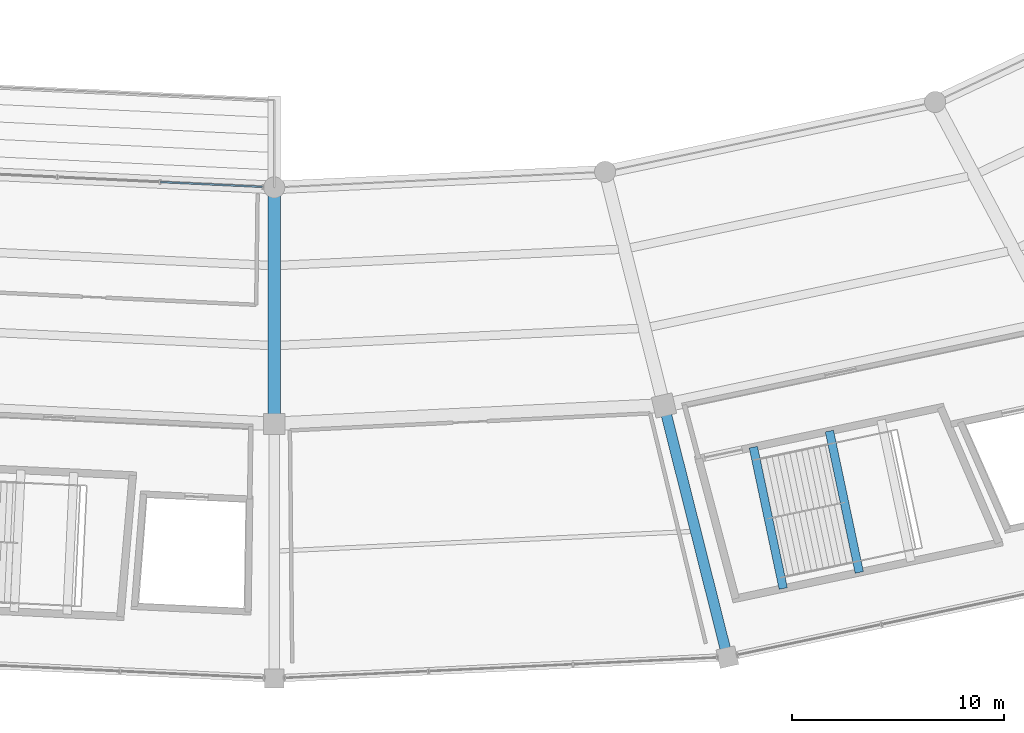
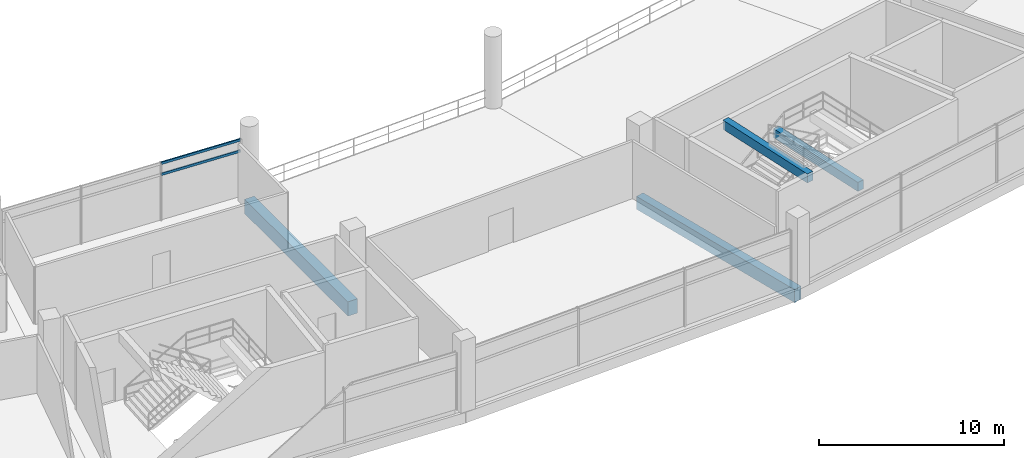
# One storey, part 31 of 171: 4 beams, 2 members, 1 element without a shape of its own.
"""IFC4 building model written with IfcOpenShell, lengths in metres."""

from ifc_helpers import new_model, si_unit, direction, frame, origin, origin_2d, place, context, subcontext, project, spatial, rectangle, hollow_rectangle, extrude, material, layer, layer_set, material_profile, profile_set, type_object, element, aggregate, save


model = new_model("IFC4")

# Units and contexts
model_context = context("Model", 3, precision=1e-05, world=origin(), true_north=direction((0.0, 1.0)))
body_context = subcontext(model_context, "Body", "Model", "MODEL_VIEW")
ifc_project = project(units=[si_unit("LENGTHUNIT", "METRE"), si_unit("AREAUNIT", "SQUARE_METRE"), si_unit("VOLUMEUNIT", "CUBIC_METRE"), si_unit("PLANEANGLEUNIT", "RADIAN"), si_unit("MASSUNIT", "GRAM", prefix="KILO")], contexts=[model_context])

# Site, building, storey
site_placement = place(None, origin())
site = spatial("IfcSite", under=ifc_project, at=site_placement, CompositionType="ELEMENT")
building_placement = place(site_placement, origin())
building = spatial("IfcBuilding", under=site, at=building_placement, Name="Kazemori Nagisa Stadium", CompositionType="ELEMENT")
storey_placement = place(building_placement, frame((0.0, 0.0, 15.639892578125)))
storey = spatial("IfcBuildingStorey", under=building, at=storey_placement, Name="L03", CompositionType="ELEMENT", Elevation=15.639892578125)

# Beams
ifc_material_1 = material(Name="Concrete C40/50 (Fc42)", Category="concrete")
ifc_material_profile_1 = material_profile(ifc_material_1, rectangle(XDim=0.39990234375, YDim=0.60009765625, at=origin_2d()), Name="RC-BM-400x600")
ifc_profile_set_1 = profile_set([ifc_material_profile_1], Name="Concrete C40/50 (Fc42)")
beam_type_1 = type_object("IfcBeamType", Name="Beam_BG-LND400X600", PredefinedType="BEAM", material=ifc_profile_set_1)
beam_1_placement = place(storey_placement, frame((149.248046875, 27.701171875, 1.880126953125), z_axis=(0.206990166222, -0.978343023222, 0.0), x_axis=(0.978343023222, 0.206990166222, 0.0)))
element("IfcBeam", 1, at=beam_1_placement, inside=storey, type_object=beam_type_1, Name="Core stair mid-landing girder ST06-L03-1", PredefinedType="BEAM", context=body_context, shape_type="SweptSolid", body=[
    extrude(rectangle(XDim=0.39990234375, YDim=0.60009765625, at=origin_2d()), origin(), (0.0, 0.0, 1.0), 6.83154296875),
])
beam_2_placement = place(storey_placement, frame((145.652587890625, 26.9404296875, 4.16015625), z_axis=(0.206997403527, -0.978341491982, 0.0), x_axis=(0.978341491982, 0.206997403527, 0.0)))
element("IfcBeam", 2, at=beam_2_placement, inside=storey, type_object=beam_type_1, Name="Core stair arrival header girder ST06-L03", PredefinedType="BEAM", context=body_context, shape_type="SweptSolid", body=[
    extrude(rectangle(XDim=0.39990234375, YDim=0.60009765625, at=origin_2d()), origin(), (0.0, 0.0, 1.0), 6.831298828125),
])
ifc_material_profile_2 = material_profile(ifc_material_1, rectangle(XDim=0.5, YDim=0.85009765625, at=origin_2d()), Name="RC-BM-500x850")
ifc_profile_set_2 = profile_set([ifc_material_profile_2], Name="Concrete C40/50 (Fc42)")
beam_type_2 = type_object("IfcBeamType", Name="Beam_BG-RC500X850", PredefinedType="BEAM", material=ifc_profile_set_2)
beam_3_placement = place(storey_placement, frame((141.427734375, 28.911376953125, -0.684814453125), z_axis=(0.244487324834, -0.969652488263, 0.0), x_axis=(0.969652488263, 0.244487324834, 0.0)))
element("IfcBeam", 3, at=beam_3_placement, inside=storey, type_object=beam_type_2, Name="Radial girder BG-RC500X850 L03 R2-R3-23", PredefinedType="BEAM", context=body_context, shape_type="SweptSolid", body=[
    extrude(rectangle(XDim=0.5, YDim=0.85009765625, at=origin_2d()), origin(), (0.0, 0.0, 1.0), 12.2705078125),
])
ifc_material_profile_3 = material_profile(ifc_material_1, rectangle(XDim=0.60009765625, YDim=0.949951171875, at=origin_2d()), Name="RC-BM-600x950")
ifc_profile_set_3 = profile_set([ifc_material_profile_3], Name="Concrete C40/50 (Fc42)")
beam_type_3 = type_object("IfcBeamType", Name="Beam_BG-RC600X950", PredefinedType="BEAM", material=ifc_profile_set_3)
beam_4_placement = place(storey_placement, frame((123.0, 39.219970703125, -0.73486328125), z_axis=(0.0, -1.0, 0.0), x_axis=(1.0, 0.0, 0.0)))
element("IfcBeam", 4, at=beam_4_placement, inside=storey, type_object=beam_type_3, Name="Radial girder BG-RC600X950 L03 R1-R2-22", PredefinedType="BEAM", context=body_context, shape_type="SweptSolid", body=[
    extrude(rectangle(XDim=0.60009765625, YDim=0.949951171875, at=origin_2d()), origin(), (0.0, 0.0, 1.0), 11.179931640625),
])

# Curtain wall, members
ifc_material_2 = material(Name="Anodised aluminium 6063-T5", Category="aluminium")
ifc_layer = layer(ifc_material_2, 0.2099609375, Name="Anodised aluminium 6063-T5", Category="aluminium")
ifc_layer_set = layer_set([ifc_layer], Name="Anodised aluminium 6063-T5")
curtain_wall_type = type_object("IfcCurtainWallType", Name="CW_L03B_73", PredefinedType="USERDEFINED", material=ifc_layer_set)
curtain_wall_placement = place(storey_placement, origin())
curtain_wall = element("IfcCurtainWall", 5, at=curtain_wall_placement, inside=storey, type_object=curtain_wall_type, Name="Unitised curtain wall CW-L03B-73 L03", ObjectType="UNITISED CURTAIN WALL", PredefinedType="USERDEFINED")
ifc_material_3 = material(Name="Aluminium 6063-T5 anodised", Category="aluminium")
ifc_material_profile_4 = material_profile(ifc_material_3, hollow_rectangle(XDim=0.080078125, YDim=0.159912109375, WallThickness=0.00390625, at=origin_2d()), Name="ALU-TRAN-80x160x4")
ifc_profile_set_4 = profile_set([ifc_material_profile_4], Name="Aluminium 6063-T5 anodised")
member_type = type_object("IfcMemberType", Name="Transom_T02", PredefinedType="USERDEFINED", material=ifc_profile_set_4)
member_1_placement = place(storey_placement, frame((117.627685546875, 39.47412109375, 3.010009765625), z_axis=(0.99888183829, -0.047276560097, 0.0), x_axis=(0.047276560097, 0.99888183829, 0.0)))
member_1 = element("IfcMember", 6, at=member_1_placement, type_object=member_type, Name="Curtain wall transom CW-L03B-73-T3-mid", ObjectType="TRANSOM", PredefinedType="USERDEFINED", context=body_context, shape_type="SweptSolid", body=[
    extrude(hollow_rectangle(XDim=0.080078125, YDim=0.159912109375, WallThickness=0.00390625, at=origin_2d()), origin(), (0.0, 0.0, 1.0), 4.8232421875),
])
member_2_placement = place(storey_placement, frame((117.627685546875, 39.47412109375, 3.739990234375), z_axis=(0.99888183829, -0.047276560097, 0.0), x_axis=(0.047276560097, 0.99888183829, 0.0)))
member_2 = element("IfcMember", 7, at=member_2_placement, type_object=member_type, Name="Curtain wall transom CW-L03B-73-T3-head", ObjectType="TRANSOM", PredefinedType="USERDEFINED", context=body_context, shape_type="SweptSolid", body=[
    extrude(hollow_rectangle(XDim=0.080078125, YDim=0.159912109375, WallThickness=0.00390625, at=origin_2d()), origin(), (0.0, 0.0, 1.0), 4.8232421875),
])
aggregate(curtain_wall, [member_1, member_2])

save(model, "model.ifc")
